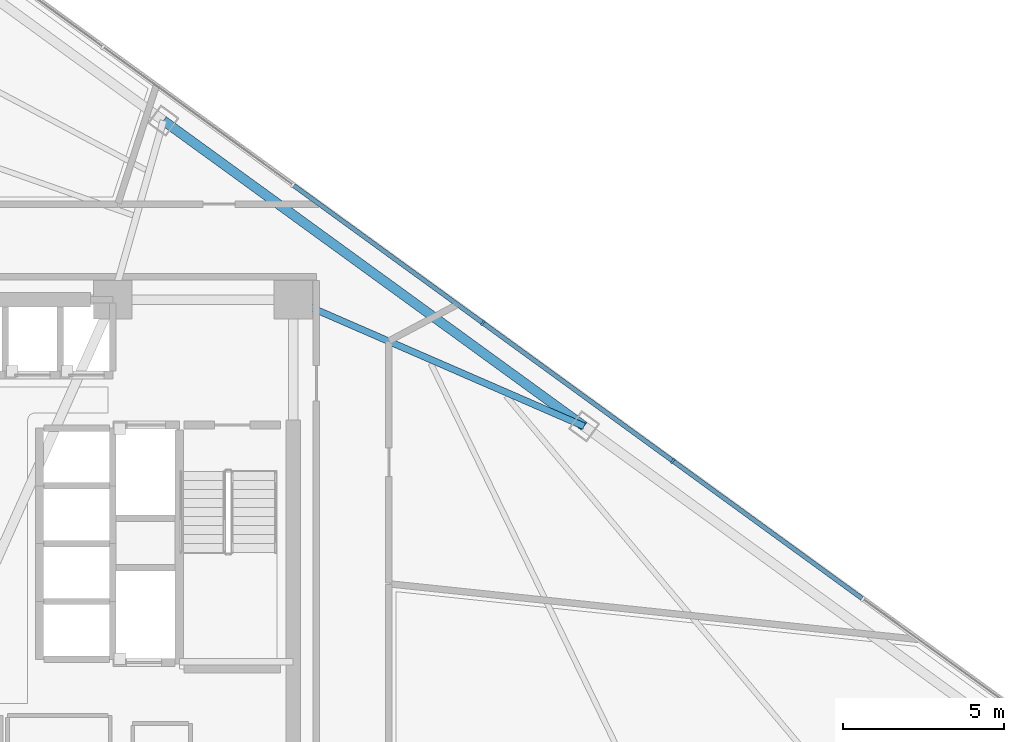
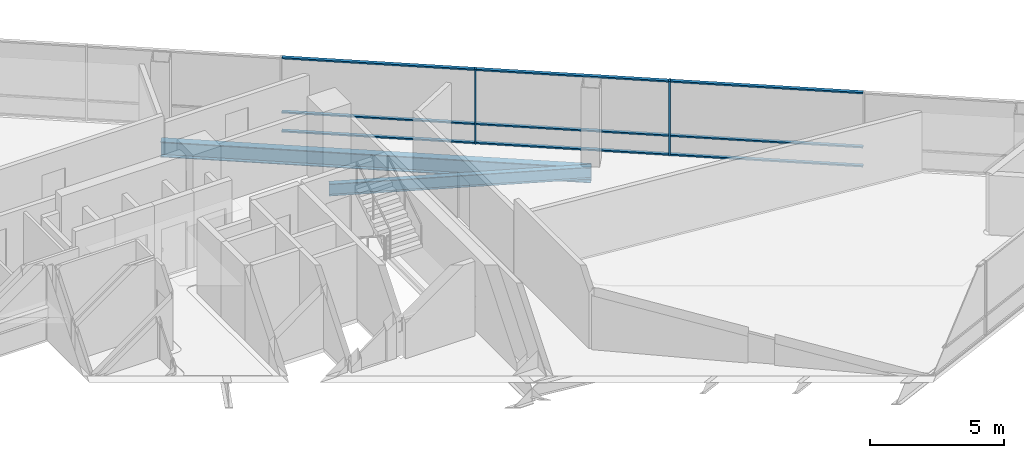
# One storey, part 9 of 19: 11 members, 2 beams, 1 element without a shape of its own.
"""IFC4 building model written with IfcOpenShell, lengths in metres."""

from ifc_helpers import new_model, si_unit, direction, frame, origin, origin_2d, place, context, subcontext, project, spatial, rectangle, i_section, extrude, material, layer, layer_set, material_profile, profile_set, type_object, element, aggregate, save


model = new_model("IFC4")

# Units and contexts
model_context = context("Model", 3, precision=1e-05, world=origin(), true_north=direction((0.0, 1.0)))
body_context = subcontext(model_context, "Body", "Model", "MODEL_VIEW")
ifc_project = project(units=[si_unit("LENGTHUNIT", "METRE"), si_unit("AREAUNIT", "SQUARE_METRE"), si_unit("VOLUMEUNIT", "CUBIC_METRE"), si_unit("PLANEANGLEUNIT", "RADIAN"), si_unit("MASSUNIT", "GRAM", prefix="KILO")], contexts=[model_context])

# Site, building, storey
site_placement = place(None, origin())
site = spatial("IfcSite", under=ifc_project, at=site_placement, CompositionType="ELEMENT")
building_placement = place(site_placement, origin())
building = spatial("IfcBuilding", under=site, at=building_placement, Name="Tharavind Bronze Gate", CompositionType="ELEMENT")
storey_placement = place(building_placement, frame((0.0, 0.0, 126.85009765625)))
storey = spatial("IfcBuildingStorey", under=building, at=storey_placement, Name="L32", CompositionType="ELEMENT", Elevation=126.85009765625)

# Curtain wall, members
ifc_material_1 = material(Name="Anodised Bronze Aluminium", Category="aluminium")
ifc_layer = layer(ifc_material_1, 0.219970703125)
ifc_layer_set = layer_set([ifc_layer], Name="Anodised Bronze Aluminium")
curtain_wall_type = type_object("IfcCurtainWallType", Name="UNITISED CURTAIN WALL LOWER OFFICE", PredefinedType="USERDEFINED", material=ifc_layer_set)
curtain_wall_placement = place(storey_placement, origin())
curtain_wall = element("IfcCurtainWall", 1, at=curtain_wall_placement, inside=storey, type_object=curtain_wall_type, Name="L32 unitised curtain wall lower office CW-L32-S3", ObjectType="UNITISED CURTAIN WALL", PredefinedType="USERDEFINED")
member_type_1 = type_object("IfcMemberType", Name="CURTAIN WALL BRONZE MULLION 65X180", PredefinedType="MULLION", material=ifc_material_1)
member_1_placement = place(storey_placement, frame((20.724365234375, 2.577392578125, 0.0), z_axis=(0.0, 0.0, 1.0), x_axis=(-0.809016994375, 0.587785252292, 0.0)))
member_1 = element("IfcMember", 2, at=member_1_placement, type_object=member_type_1, Name="CW-L32-S3 mullion 3", PredefinedType="MULLION", context=body_context, shape_type="SweptSolid", body=[
    extrude(rectangle(XDim=0.06494140625, YDim=0.179931640625, at=origin_2d()), origin(), (0.0, 0.0, 1.0), 3.409912109375),
])
member_2_placement = place(storey_placement, frame((14.807861328125, 6.876220703125, 0.0), z_axis=(0.0, 0.0, 1.0), x_axis=(-0.809016994375, 0.587785252292, 0.0)))
member_2 = element("IfcMember", 3, at=member_2_placement, type_object=member_type_1, Name="CW-L32-S3 mullion 4", PredefinedType="MULLION", context=body_context, shape_type="SweptSolid", body=[
    extrude(rectangle(XDim=0.06494140625, YDim=0.179931640625, at=origin_2d()), origin(), (0.0, 0.0, 1.0), 3.409912109375),
])
member_type_2 = type_object("IfcMemberType", Name="CURTAIN WALL BRONZE TRANSOM 65X140", PredefinedType="USERDEFINED", material=ifc_material_1)
member_3_placement = place(storey_placement, frame((23.6826171875, 0.427978515625, 0.0), z_axis=(0.0, 0.0, 1.0), x_axis=(-0.809016994375, 0.587785252292, 0.0)))
member_3 = element("IfcMember", 4, at=member_3_placement, type_object=member_type_2, Name="CW-L32-S3 transom TB2", ObjectType="TRANSOM", PredefinedType="USERDEFINED", context=body_context, shape_type="SweptSolid", body=[
    extrude(rectangle(XDim=7.260498046875, YDim=0.139892578125, at=origin_2d()), origin(), (0.0, 0.0, 1.0), 0.06494140625),
])
member_4_placement = place(storey_placement, frame((23.6826171875, 0.427978515625, 0.867431640625), z_axis=(0.0, 0.0, 1.0), x_axis=(-0.809016994375, 0.587785252292, 0.0)))
member_4 = element("IfcMember", 5, at=member_4_placement, type_object=member_type_2, Name="CW-L32-S3 transom TS2", ObjectType="TRANSOM", PredefinedType="USERDEFINED", context=body_context, shape_type="SweptSolid", body=[
    extrude(rectangle(XDim=7.260498046875, YDim=0.139892578125, at=origin_2d()), origin(), (0.0, 0.0, 1.0), 0.06494140625),
])
member_5_placement = place(storey_placement, frame((23.6826171875, 0.427978515625, 3.344970703125), z_axis=(0.0, 0.0, 1.0), x_axis=(-0.809016994375, 0.587785252292, 0.0)))
member_5 = element("IfcMember", 6, at=member_5_placement, type_object=member_type_2, Name="CW-L32-S3 transom TT2", ObjectType="TRANSOM", PredefinedType="USERDEFINED", context=body_context, shape_type="SweptSolid", body=[
    extrude(rectangle(XDim=7.260498046875, YDim=0.139892578125, at=origin_2d()), origin(), (0.0, 0.0, 1.0), 0.06494140625),
])
member_6_placement = place(storey_placement, frame((17.76611328125, 4.726806640625, 0.0), z_axis=(0.0, 0.0, 1.0), x_axis=(-0.809016994375, 0.587785252292, 0.0)))
member_6 = element("IfcMember", 7, at=member_6_placement, type_object=member_type_2, Name="CW-L32-S3 transom TB3", ObjectType="TRANSOM", PredefinedType="USERDEFINED", context=body_context, shape_type="SweptSolid", body=[
    extrude(rectangle(XDim=7.260498046875, YDim=0.139892578125, at=origin_2d()), origin(), (0.0, 0.0, 1.0), 0.06494140625),
])
member_7_placement = place(storey_placement, frame((17.76611328125, 4.726806640625, 0.867431640625), z_axis=(0.0, 0.0, 1.0), x_axis=(-0.809016994375, 0.587785252292, 0.0)))
member_7 = element("IfcMember", 8, at=member_7_placement, type_object=member_type_2, Name="CW-L32-S3 transom TS3", ObjectType="TRANSOM", PredefinedType="USERDEFINED", context=body_context, shape_type="SweptSolid", body=[
    extrude(rectangle(XDim=7.260498046875, YDim=0.139892578125, at=origin_2d()), origin(), (0.0, 0.0, 1.0), 0.06494140625),
])
member_8_placement = place(storey_placement, frame((17.76611328125, 4.726806640625, 3.344970703125), z_axis=(0.0, 0.0, 1.0), x_axis=(-0.809016994375, 0.587785252292, 0.0)))
member_8 = element("IfcMember", 9, at=member_8_placement, type_object=member_type_2, Name="CW-L32-S3 transom TT3", ObjectType="TRANSOM", PredefinedType="USERDEFINED", context=body_context, shape_type="SweptSolid", body=[
    extrude(rectangle(XDim=7.260498046875, YDim=0.139892578125, at=origin_2d()), origin(), (0.0, 0.0, 1.0), 0.06494140625),
])
member_9_placement = place(storey_placement, frame((11.849365234375, 9.025390625, 0.0), z_axis=(0.0, 0.0, 1.0), x_axis=(-0.809016994375, 0.587785252292, 0.0)))
member_9 = element("IfcMember", 10, at=member_9_placement, type_object=member_type_2, Name="CW-L32-S3 transom TB4", ObjectType="TRANSOM", PredefinedType="USERDEFINED", context=body_context, shape_type="SweptSolid", body=[
    extrude(rectangle(XDim=7.260498046875, YDim=0.139892578125, at=origin_2d()), origin(), (0.0, 0.0, 1.0), 0.06494140625),
])
member_10_placement = place(storey_placement, frame((11.849365234375, 9.025390625, 0.867431640625), z_axis=(0.0, 0.0, 1.0), x_axis=(-0.809016994375, 0.587785252292, 0.0)))
member_10 = element("IfcMember", 11, at=member_10_placement, type_object=member_type_2, Name="CW-L32-S3 transom TS4", ObjectType="TRANSOM", PredefinedType="USERDEFINED", context=body_context, shape_type="SweptSolid", body=[
    extrude(rectangle(XDim=7.260498046875, YDim=0.139892578125, at=origin_2d()), origin(), (0.0, 0.0, 1.0), 0.06494140625),
])
member_11_placement = place(storey_placement, frame((11.849365234375, 9.025390625, 3.344970703125), z_axis=(0.0, 0.0, 1.0), x_axis=(-0.809016994375, 0.587785252292, 0.0)))
member_11 = element("IfcMember", 12, at=member_11_placement, type_object=member_type_2, Name="CW-L32-S3 transom TT4", ObjectType="TRANSOM", PredefinedType="USERDEFINED", context=body_context, shape_type="SweptSolid", body=[
    extrude(rectangle(XDim=7.260498046875, YDim=0.139892578125, at=origin_2d()), origin(), (0.0, 0.0, 1.0), 0.06494140625),
])
aggregate(curtain_wall, [member_1, member_2, member_3, member_4, member_5, member_6, member_7, member_8, member_9, member_10, member_11])

# Beams
ifc_material_2 = material(Name="Steel S355", Category="steel")
ifc_material_profile_1 = material_profile(ifc_material_2, i_section(OverallWidth=0.2099609375, OverallDepth=0.550048828125, WebThickness=0.010986328125, FlangeThickness=0.01708984375, at=origin_2d()), Name="IPE550")
ifc_profile_set_1 = profile_set([ifc_material_profile_1], Name="Steel S355")
beam_type_1 = type_object("IfcBeamType", Name="PRIMARY GIRDER IPE550", PredefinedType="USERDEFINED", material=ifc_profile_set_1)
beam_1_placement = place(storey_placement, frame((17.961181640625, 3.658203125, -0.465087890625), z_axis=(-0.916988336064, 0.398914015199, 0.0), x_axis=(-0.398914015199, -0.916988336064, 0.0)))
element("IfcBeam", 13, at=beam_1_placement, inside=storey, type_object=beam_type_1, Name="L32 primary girder ipe550 BM-L32-RAD10", ObjectType="GIRDER", PredefinedType="USERDEFINED", context=body_context, shape_type="SweptSolid", body=[
    extrude(i_section(OverallWidth=0.2099609375, OverallDepth=0.550048828125, WebThickness=0.010986328125, FlangeThickness=0.01708984375, at=origin_2d()), origin(), (0.0, 0.0, 1.0), 9.881591796875),
])
ifc_material_profile_2 = material_profile(ifc_material_2, i_section(OverallWidth=0.300048828125, OverallDepth=0.699951171875, WebThickness=0.01708984375, FlangeThickness=0.031982421875, at=origin_2d()), Name="HE700B")
ifc_profile_set_2 = profile_set([ifc_material_profile_2], Name="Steel S355")
beam_type_2 = type_object("IfcBeamType", Name="RING GIRDER HE700B", PredefinedType="USERDEFINED", material=ifc_profile_set_2)
beam_2_placement = place(storey_placement, frame((17.961181640625, 3.658203125, -0.5400390625), z_axis=(-0.809019501524, 0.587781801482, 0.0), x_axis=(-0.587781801482, -0.809019501524, 0.0)))
element("IfcBeam", 14, at=beam_2_placement, inside=storey, type_object=beam_type_2, Name="L32 ring girder he700b BM-L32-PRG10", ObjectType="GIRDER", PredefinedType="USERDEFINED", context=body_context, shape_type="SweptSolid", body=[
    extrude(i_section(OverallWidth=0.300048828125, OverallDepth=0.699951171875, WebThickness=0.01708984375, FlangeThickness=0.031982421875, at=origin_2d()), origin(), (0.0, 0.0, 1.0), 16.198486328125),
])

save(model, "model.ifc")
